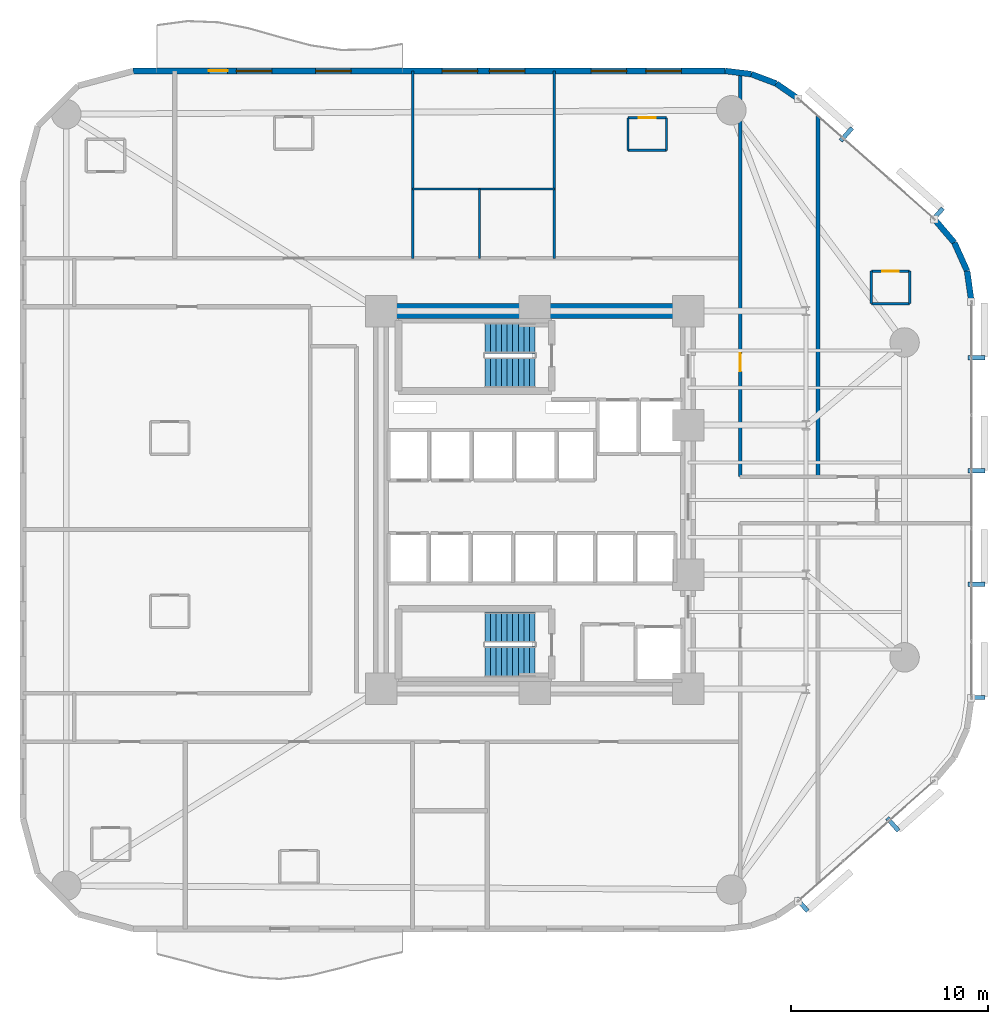
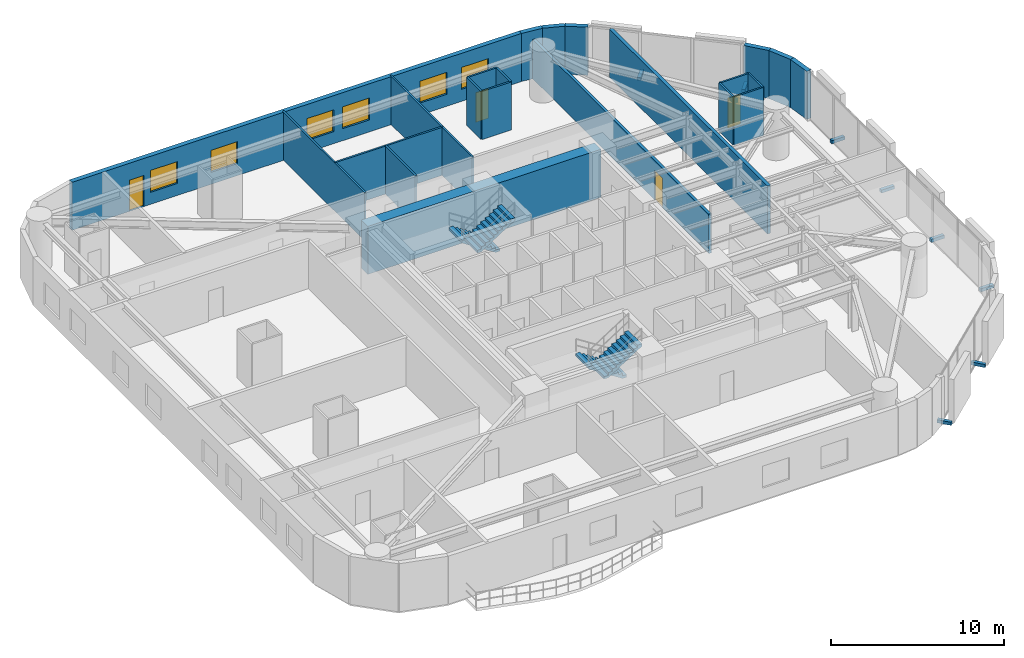
# One storey, part 13 of 16: 22 walls, 8 discrete accessories, 6 windows, 4 doors, 4 stair flights, 10 openings, 2 elements without a shape of their own.
"""IFC4 building model written with IfcOpenShell, lengths in metres."""

import ifcopenshell
import ifcopenshell.guid

model = None  # the IFC model being written
_history = None  # IfcOwnerHistory: only IFC2X3 demands one
_inside = {}  # id of a spatial element -> (the spatial element, [elements in it])
_under = {}  # id of a project, library or spatial element -> (it, [spatial elements below it])
_declared = {}  # id of a project -> (the project, [libraries it declares])
_typed = {}  # id of a type object -> (the type object, [elements of that type])
_made_of = {}  # id of a material, layer set ... -> (it, [elements and type objects made of it])


def new_model(schema):
    """Start an empty IFC model of exactly this schema.

    Asked for "IFC4X3", IfcOpenShell would pick the latest addendum, in which some entities
    have other attributes; the version numbers below select the first issue.
    IFC2X3 requires an IfcOwnerHistory on every rooted entity: one is made here for all.
    """
    global model, _history
    if schema == "IFC4X3":
        model = ifcopenshell.file(schema_version=(4, 3, 0, 0))
    else:
        model = ifcopenshell.file(schema=schema)
    _inside.clear()
    _under.clear()
    _declared.clear()
    _typed.clear()
    _made_of.clear()
    _history = None
    if model.schema == "IFC2X3":
        org = make("IfcOrganization", Name="unknown")
        user = make(
            "IfcPersonAndOrganization",
            ThePerson=make("IfcPerson", FamilyName="unknown"),
            TheOrganization=org,
        )
        app = make(
            "IfcApplication",
            ApplicationDeveloper=org,
            Version="unknown",
            ApplicationFullName="unknown",
            ApplicationIdentifier="unknown",
        )
        _history = make(
            "IfcOwnerHistory",
            OwningUser=user,
            OwningApplication=app,
            ChangeAction="ADDED",
            CreationDate=0,
        )
    return model


def make(cls, **values):
    """One entity of the class cls with the attributes given. An attribute that is None is left unset."""
    return model.create_entity(
        cls, **{name: value for name, value in values.items() if value is not None}
    )


def rooted(cls, **values):
    """An entity with a GlobalId (a new one), such as an element, a storey or a relation."""
    return make(cls, GlobalId=ifcopenshell.guid.new(), OwnerHistory=_history, **values)


def si_unit(unit_type, name, prefix=None):
    """IfcSIUnit, for example si_unit("LENGTHUNIT", "METRE", prefix="MILLI")."""
    return make("IfcSIUnit", UnitType=unit_type, Prefix=prefix, Name=name)


def assignment(units):
    """IfcUnitAssignment: the units of a project."""
    return None if units is None else make("IfcUnitAssignment", Units=units)


def point(xyz):
    """IfcCartesianPoint."""
    return None if xyz is None else make("IfcCartesianPoint", Coordinates=xyz)


def direction(xyz):
    """IfcDirection."""
    return None if xyz is None else make("IfcDirection", DirectionRatios=xyz)


def frame(location, z_axis=None, x_axis=None):
    """IfcAxis2Placement3D, a coordinate frame: its origin and axes. An axis left out is left unset."""
    return make(
        "IfcAxis2Placement3D",
        Location=point(location),
        Axis=direction(z_axis),
        RefDirection=direction(x_axis),
    )


def frame_2d(location, x_axis=None):
    """IfcAxis2Placement2D, a coordinate frame in the plane: its origin and x axis."""
    return make(
        "IfcAxis2Placement2D", Location=point(location), RefDirection=direction(x_axis)
    )


def origin():
    """The frame at (0, 0, 0) with its axes left unset."""
    return frame((0.0, 0.0, 0.0))


def origin_2d():
    """The frame at (0, 0) in the plane with its x axis left unset."""
    return frame_2d((0.0, 0.0))


def place(relative_to, where):
    """IfcLocalPlacement: puts the frame where relative to a parent placement (None: the world)."""
    return make(
        "IfcLocalPlacement", PlacementRelTo=relative_to, RelativePlacement=where
    )


def context(
    kind, dimensions, precision=None, world=None, true_north=None, identifier=None
):
    """IfcGeometricRepresentationContext, for example the 3D "Model" context."""
    return make(
        "IfcGeometricRepresentationContext",
        ContextIdentifier=identifier,
        ContextType=kind,
        CoordinateSpaceDimension=dimensions,
        Precision=precision,
        WorldCoordinateSystem=world,
        TrueNorth=true_north,
    )


def subcontext(parent, identifier, kind, view, scale=None):
    """IfcGeometricRepresentationSubContext, for example "Body" below "Model"."""
    return make(
        "IfcGeometricRepresentationSubContext",
        ContextIdentifier=identifier,
        ContextType=kind,
        ParentContext=parent,
        TargetScale=scale,
        TargetView=view,
    )


def project(units=None, contexts=None):
    """IfcProject with its units and contexts."""
    return rooted(
        "IfcProject",
        Name="project",
        RepresentationContexts=contexts,
        UnitsInContext=assignment(units),
    )


def spatial(cls, under=None, at=None, **own):
    """A site, building, storey or space (cls), placed at a placement, below another one or the project."""
    s = rooted(cls, ObjectPlacement=at, **own)
    if under is not None:
        _under.setdefault(under.id(), (under, []))[1].append(s)
    return s


def polyline(points):
    """IfcPolyline through the points."""
    return make("IfcPolyline", Points=[point(p) for p in points])


def profile(cls, at=None, kind="AREA", **sizes):
    """A parametric profile (cls). Its sizes go by their IFC names, for example OverallWidth=200.0."""
    return make(cls, ProfileType=kind, Position=at, **sizes)


def rectangle(**sizes):
    """IfcRectangleProfileDef."""
    return profile("IfcRectangleProfileDef", **sizes)


def outline(outer, holes=None, kind="AREA"):
    """IfcArbitraryClosedProfileDef: a profile drawn as a closed curve; with holes, ...WithVoids."""
    if holes is None:
        return make("IfcArbitraryClosedProfileDef", ProfileType=kind, OuterCurve=outer)
    return make(
        "IfcArbitraryProfileDefWithVoids",
        ProfileType=kind,
        OuterCurve=outer,
        InnerCurves=holes,
    )


def extrude(swept, where, along, depth):
    """IfcExtrudedAreaSolid: the profile swept, set in the frame where, extruded along a direction by depth."""
    return make(
        "IfcExtrudedAreaSolid",
        SweptArea=swept,
        Position=where,
        ExtrudedDirection=direction(along),
        Depth=depth,
    )


def shape(context_of_items, identifier, shape_type, items):
    """IfcShapeRepresentation: the items that make up one representation, for example the "Body"."""
    return make(
        "IfcShapeRepresentation",
        ContextOfItems=context_of_items,
        RepresentationIdentifier=identifier,
        RepresentationType=shape_type,
        Items=items,
    )


def material(Name=None, Category=None):
    """IfcMaterial."""
    return make("IfcMaterial", Name=Name, Category=Category)


def layer(
    of_material, thickness, ventilated=None, Name=None, Category=None, Priority=None
):
    """IfcMaterialLayer: one layer of a wall or slab, of a material (None: an air gap)."""
    return make(
        "IfcMaterialLayer",
        Material=of_material,
        LayerThickness=thickness,
        IsVentilated=ventilated,
        Name=Name,
        Category=Category,
        Priority=Priority,
    )


def layer_set(layers, Name=None):
    """IfcMaterialLayerSet."""
    return make("IfcMaterialLayerSet", MaterialLayers=layers, LayerSetName=Name)


def made_of(thing, what):
    """Note that an element or type object is made of a material, layer set ...; save() writes the relation."""
    if what is not None:
        _made_of.setdefault(what.id(), (what, []))[1].append(thing)
    return thing


def type_object(cls, material=None, **own):
    """A type object (cls), such as IfcWallType, which elements share."""
    return made_of(rooted(cls, **own), material)


def element(
    cls,
    number,
    at=None,
    inside=None,
    cuts=None,
    type_object=None,
    material=None,
    context=None,
    identifier="Body",
    shape_type=None,
    held_by="IfcProductDefinitionShape",
    body=None,
    shapes=None,
    **own,
):
    """One element of the class cls, such as IfcWall. Its Tag is "e" and its number.

    at: its placement. inside: the storey or other place that contains it. cuts: it is an
    opening in that element (IfcRelVoidsElement). A single representation is given by context,
    identifier, shape_type and body (its items); several are given by shapes. held_by: the class
    of the entity that holds the representations. save() writes the other relations.
    """
    e = rooted(cls, Tag="e%d" % number, ObjectPlacement=at, **own)
    if body is not None:
        shapes = [shape(context, identifier, shape_type, body)]
    if shapes is not None:
        e.Representation = make(held_by, Representations=shapes)
    if inside is not None:
        _inside.setdefault(inside.id(), (inside, []))[1].append(e)
    if cuts is not None:
        rooted(
            "IfcRelVoidsElement", RelatingBuildingElement=cuts, RelatedOpeningElement=e
        )
    if type_object is not None:
        _typed.setdefault(type_object.id(), (type_object, []))[1].append(e)
    return made_of(e, material)


def fill(opening, filler):
    """IfcRelFillsElement: the door or window that sits in an opening."""
    return rooted(
        "IfcRelFillsElement",
        RelatingOpeningElement=opening,
        RelatedBuildingElement=filler,
    )


def aggregate(whole, parts):
    """IfcRelAggregates: a whole, such as a stair, and the parts it consists of."""
    return rooted("IfcRelAggregates", RelatingObject=whole, RelatedObjects=parts)


def save(model, path):
    """Write the relations noted so far, then the file.

    IfcRelAggregates (storeys below a building ...), IfcRelContainedInSpatialStructure (elements
    in a storey), IfcRelDefinesByType, IfcRelAssociatesMaterial and IfcRelDeclares: one each for
    every whole, place, type object, material and project.
    """
    for whole, parts in _under.values():
        aggregate(whole, parts)
    for where, things in _inside.values():
        rooted(
            "IfcRelContainedInSpatialStructure",
            RelatedElements=things,
            RelatingStructure=where,
        )
    for kind, things in _typed.values():
        rooted("IfcRelDefinesByType", RelatedObjects=things, RelatingType=kind)
    for what, things in _made_of.values():
        rooted("IfcRelAssociatesMaterial", RelatedObjects=things, RelatingMaterial=what)
    for by, libraries in _declared.values():
        rooted("IfcRelDeclares", RelatingContext=by, RelatedDefinitions=libraries)
    model.write(path)


model = new_model("IFC4")

# Units and contexts
model_context = context("Model", 3, precision=1e-05, world=origin(), true_north=direction((0.0, 1.0)))
body_context = subcontext(model_context, "Body", "Model", "MODEL_VIEW")
ifc_project = project(units=[si_unit("LENGTHUNIT", "METRE"), si_unit("AREAUNIT", "SQUARE_METRE"), si_unit("VOLUMEUNIT", "CUBIC_METRE"), si_unit("PLANEANGLEUNIT", "RADIAN"), si_unit("MASSUNIT", "GRAM", prefix="KILO")], contexts=[model_context])

# Site, building, storey
site_placement = place(None, origin())
site = spatial("IfcSite", under=ifc_project, at=site_placement, CompositionType="ELEMENT")
building_placement = place(site_placement, origin())
building = spatial("IfcBuilding", under=site, at=building_placement, Name="An Khanh Terracotta Commons", CompositionType="ELEMENT")
storey_placement = place(building_placement, frame((0.0, 0.0, 28.800048828125)))
storey = spatial("IfcBuildingStorey", under=building, at=storey_placement, Name="L07", CompositionType="ELEMENT", Elevation=28.800048828125)

# Wall
ifc_material_1 = material(Name="Concrete C70/85", Category="concrete")
ifc_layer_1 = layer(ifc_material_1, 0.75, Name="Concrete C70/85")
ifc_layer_set_1 = layer_set([ifc_layer_1], Name="Concrete C70/85")
wall_type_1 = type_object("IfcWallType", Name="WALL-CORE-750", PredefinedType="SHEAR", material=ifc_layer_set_1)
wall_1_placement = place(storey_placement, frame((21.60009765625, 33.60009765625, 0.0), z_axis=(0.0, 0.0, 1.0), x_axis=(1.0, 0.0, 0.0)))
element("IfcWall", 1, at=wall_1_placement, inside=storey, type_object=wall_type_1, Name="L07 Core Wall CWALL-L07-N", PredefinedType="SHEAR", context=body_context, shape_type="SweptSolid", body=[
    extrude(rectangle(XDim=15.599853515625, YDim=0.75, at=frame_2d((7.7998046875, 0.0))), origin(), (0.0, 0.0, 1.0), 3.39990234375),
])

# Wall, opening, door
ifc_material_2 = material(Name="Fire-Rated Gypsum Board on Steel Stud", Category="steel")
ifc_layer_2 = layer(ifc_material_2, 0.179931640625, Name="Fire-Rated Gypsum Board on Steel Stud")
ifc_layer_set_2 = layer_set([ifc_layer_2], Name="Fire-Rated Gypsum Board on Steel Stud")
wall_type_2 = type_object("IfcWallType", Name="WALL-CORR-180", PredefinedType="PARTITIONING", material=ifc_layer_set_2)
wall_2_placement = place(storey_placement, frame((39.85009765625, 25.179931640625, 0.0), z_axis=(0.0, 0.0, 1.0), x_axis=(0.0, 1.0, 0.0)))
wall_2 = element("IfcWall", 2, at=wall_2_placement, inside=storey, type_object=wall_type_2, Name="L07 Interior Partition IW-L07-E023", PredefinedType="PARTITIONING", context=body_context, shape_type="SweptSolid", body=[
    extrude(rectangle(XDim=20.527099609375, YDim=0.179931640625, at=frame_2d((10.263671875, 0.0))), origin(), (0.0, 0.0, 1.0), 2.781982421875),
])
opening_1_placement = place(wall_2_placement, frame((5.35009765625, 0.0, 0.0)))
opening_1 = element("IfcOpeningElement", 3, at=opening_1_placement, cuts=wall_2, Name="Opening D-RM", PredefinedType="OPENING", context=body_context, shape_type="SweptSolid", body=[
    extrude(rectangle(XDim=0.919921875, YDim=2.10009765625, at=frame_2d((0.4599609375, 1.050048828125))), frame((0.0, 0.099853515625, 0.0), z_axis=(0.0, -1.0, 0.0), x_axis=(1.0, 0.0, 0.0)), (0.0, 0.0, 1.0), 0.199951171875),
])
ifc_material_3 = material(Name="Engineered Hardwood Timber Leaf", Category="wood")
door_type_1 = type_object("IfcDoorType", Name="DOOR-INT-920", OperationType="NOTDEFINED", PredefinedType="DOOR", material=ifc_material_3)
door_1_placement = place(opening_1_placement, origin())
door_1 = element("IfcDoor", 4, at=door_1_placement, inside=storey, type_object=door_type_1, Name="L07 NB1 Quiet Focus Office Door", OperationType="SINGLE_SWING_RIGHT", OverallHeight=2.10009765625, OverallWidth=0.919921875, PredefinedType="DOOR", context=body_context, shape_type="SweptSolid", body=[
    extrude(rectangle(XDim=0.919921875, YDim=2.10009765625, at=frame_2d((0.4599609375, 1.050048828125))), frame((0.0, 0.02490234375, 0.0), z_axis=(0.0, -1.0, 0.0), x_axis=(1.0, 0.0, 0.0)), (0.0, 0.0, 1.0), 0.050048828125),
])
fill(opening_1, door_1)

# Walls
ifc_material_4 = material(Name="Precast concrete C40/50", Category="concrete")
ifc_layer_3 = layer(ifc_material_4, 0.300048828125, Name="Precast concrete C40/50")
ifc_layer_set_3 = layer_set([ifc_layer_3], Name="Precast concrete C40/50")
wall_type_3 = type_object("IfcWallType", Name="WALL-EXT-300", PredefinedType="SOLIDWALL", material=ifc_layer_set_3)
wall_3_placement = place(storey_placement, frame((51.60009765625, 34.076904296875, 0.0), z_axis=(0.0, 0.0, 1.0), x_axis=(-0.140380048512, 0.990097693149, 0.0)))
element("IfcWall", 5, at=wall_3_placement, inside=storey, type_object=wall_type_3, Name="L07 Insulated Terracotta Exterior Wall 13", PredefinedType="SOLIDWALL", context=body_context, shape_type="SweptSolid", body=[
    extrude(rectangle(XDim=1.57568359375, YDim=0.300048828125, at=frame_2d((0.787841796875, 0.0))), origin(), (0.0, 0.0, 1.0), 3.39990234375),
])
wall_4_placement = place(storey_placement, frame((51.37890625, 35.636962890625, 0.0), z_axis=(0.0, 0.0, 1.0), x_axis=(-0.410996558744, 0.911636895206, 0.0)))
element("IfcWall", 6, at=wall_4_placement, inside=storey, type_object=wall_type_3, Name="L07 Insulated Terracotta Exterior Wall 14", PredefinedType="SOLIDWALL", context=body_context, shape_type="SweptSolid", body=[
    extrude(rectangle(XDim=1.57421875, YDim=0.300048828125, at=frame_2d((0.787109375, 0.0))), origin(), (0.0, 0.0, 1.0), 3.39990234375),
])
wall_5_placement = place(storey_placement, frame((50.73193359375, 37.072021484375, 0.0), z_axis=(0.0, 0.0, 1.0), x_axis=(-0.648389989909, 0.7613083613, 0.0)))
element("IfcWall", 7, at=wall_5_placement, inside=storey, type_object=wall_type_3, Name="L07 Insulated Terracotta Exterior Wall 15", PredefinedType="SOLIDWALL", context=body_context, shape_type="SweptSolid", body=[
    extrude(rectangle(XDim=1.576171875, YDim=0.300048828125, at=frame_2d((0.7880859375, 0.0))), origin(), (0.0, 0.0, 1.0), 3.39990234375),
])
wall_6_placement = place(storey_placement, frame((42.7890625, 44.39404296875, 0.0), z_axis=(0.0, 0.0, 1.0), x_axis=(-0.823116500192, 0.567872544777, 0.0)))
element("IfcWall", 8, at=wall_6_placement, inside=storey, type_object=wall_type_3, Name="L07 Insulated Terracotta Exterior Wall 17", PredefinedType="SOLIDWALL", context=body_context, shape_type="SweptSolid", body=[
    extrude(rectangle(XDim=1.3486328125, YDim=0.300048828125, at=frame_2d((0.67431640625, 0.0))), origin(), (0.0, 0.0, 1.0), 3.39990234375),
])
wall_7_placement = place(storey_placement, frame((41.678955078125, 45.159912109375, 0.0), z_axis=(0.0, 0.0, 1.0), x_axis=(-0.935156721165, 0.354234254216, 0.0)))
element("IfcWall", 9, at=wall_7_placement, inside=storey, type_object=wall_type_3, Name="L07 Insulated Terracotta Exterior Wall 18", PredefinedType="SOLIDWALL", context=body_context, shape_type="SweptSolid", body=[
    extrude(rectangle(XDim=1.349365234375, YDim=0.300048828125, at=frame_2d((0.6748046875, 0.0))), origin(), (0.0, 0.0, 1.0), 3.39990234375),
])
wall_8_placement = place(storey_placement, frame((40.4169921875, 45.637939453125, 0.0), z_axis=(0.0, 0.0, 1.0), x_axis=(-0.992739027259, 0.120288086515, 0.0)))
element("IfcWall", 10, at=wall_8_placement, inside=storey, type_object=wall_type_3, Name="L07 Insulated Terracotta Exterior Wall 19", PredefinedType="SOLIDWALL", context=body_context, shape_type="SweptSolid", body=[
    extrude(rectangle(XDim=1.34765625, YDim=0.300048828125, at=frame_2d((0.673828125, 0.0))), origin(), (0.0, 0.0, 1.0), 3.39990234375),
])

# Wall, openings, door, windows
wall_9_placement = place(storey_placement, frame((39.0791015625, 45.800048828125, 0.0), z_axis=(0.0, 0.0, 1.0), x_axis=(-1.0, 0.0, 0.0)))
wall_9 = element("IfcWall", 11, at=wall_9_placement, inside=storey, type_object=wall_type_3, Name="L07 Insulated Terracotta Exterior Wall 20", PredefinedType="SOLIDWALL", context=body_context, shape_type="SweptSolid", body=[
    extrude(rectangle(XDim=30.0791015625, YDim=0.300048828125, at=frame_2d((15.03955078125, 0.0))), origin(), (0.0, 0.0, 1.0), 3.39990234375),
])
opening_2_placement = place(wall_9_placement, frame((25.279052734375, 0.0, 0.0)))
opening_2 = element("IfcOpeningElement", 12, at=opening_2_placement, cuts=wall_9, Name="Opening D-BAL", PredefinedType="OPENING", context=body_context, shape_type="SweptSolid", body=[
    extrude(rectangle(XDim=0.949951171875, YDim=2.199951171875, at=frame_2d((0.47509765625, 1.10009765625))), frame((0.0, 0.159912109375, 0.0), z_axis=(0.0, -1.0, 0.0), x_axis=(1.0, 0.0, 0.0)), (0.0, 0.0, 1.0), 0.320068359375),
])
opening_3_placement = place(wall_9_placement, frame((2.22607421875, 0.0, 0.85009765625)))
opening_3 = element("IfcOpeningElement", 13, at=opening_3_placement, cuts=wall_9, Name="Opening W-01", PredefinedType="OPENING", context=body_context, shape_type="SweptSolid", body=[
    extrude(rectangle(XDim=1.800048828125, YDim=1.550048828125, at=frame_2d((0.89990234375, 0.77490234375))), frame((0.0, 0.159912109375, 0.0), z_axis=(0.0, -1.0, 0.0), x_axis=(1.0, 0.0, 0.0)), (0.0, 0.0, 1.0), 0.320068359375),
])
opening_4_placement = place(wall_9_placement, frame((5.0029296875, 0.0, 0.85009765625)))
opening_4 = element("IfcOpeningElement", 14, at=opening_4_placement, cuts=wall_9, Name="Opening W-01", PredefinedType="OPENING", context=body_context, shape_type="SweptSolid", body=[
    extrude(rectangle(XDim=1.800048828125, YDim=1.550048828125, at=frame_2d((0.89990234375, 0.77490234375))), frame((0.0, 0.159912109375, 0.0), z_axis=(0.0, -1.0, 0.0), x_axis=(1.0, 0.0, 0.0)), (0.0, 0.0, 1.0), 0.320068359375),
])
opening_5_placement = place(wall_9_placement, frame((10.178955078125, 0.0, 0.85009765625)))
opening_5 = element("IfcOpeningElement", 15, at=opening_5_placement, cuts=wall_9, Name="Opening W-01", PredefinedType="OPENING", context=body_context, shape_type="SweptSolid", body=[
    extrude(rectangle(XDim=1.800048828125, YDim=1.550048828125, at=frame_2d((0.89990234375, 0.77490234375))), frame((0.0, 0.159912109375, 0.0), z_axis=(0.0, -1.0, 0.0), x_axis=(1.0, 0.0, 0.0)), (0.0, 0.0, 1.0), 0.320068359375),
])
opening_6_placement = place(wall_9_placement, frame((12.5791015625, 0.0, 0.85009765625)))
opening_6 = element("IfcOpeningElement", 16, at=opening_6_placement, cuts=wall_9, Name="Opening W-01", PredefinedType="OPENING", context=body_context, shape_type="SweptSolid", body=[
    extrude(rectangle(XDim=1.800048828125, YDim=1.550048828125, at=frame_2d((0.89990234375, 0.77490234375))), frame((0.0, 0.159912109375, 0.0), z_axis=(0.0, -1.0, 0.0), x_axis=(1.0, 0.0, 0.0)), (0.0, 0.0, 1.0), 0.320068359375),
])
opening_7_placement = place(wall_9_placement, frame((19.007080078125, 0.0, 0.85009765625)))
opening_7 = element("IfcOpeningElement", 17, at=opening_7_placement, cuts=wall_9, Name="Opening W-01", PredefinedType="OPENING", context=body_context, shape_type="SweptSolid", body=[
    extrude(rectangle(XDim=1.800048828125, YDim=1.550048828125, at=frame_2d((0.89990234375, 0.77490234375))), frame((0.0, 0.159912109375, 0.0), z_axis=(0.0, -1.0, 0.0), x_axis=(1.0, 0.0, 0.0)), (0.0, 0.0, 1.0), 0.320068359375),
])
opening_8_placement = place(wall_9_placement, frame((23.033935546875, 0.0, 0.85009765625)))
opening_8 = element("IfcOpeningElement", 18, at=opening_8_placement, cuts=wall_9, Name="Opening W-01", PredefinedType="OPENING", context=body_context, shape_type="SweptSolid", body=[
    extrude(rectangle(XDim=1.800048828125, YDim=1.550048828125, at=frame_2d((0.89990234375, 0.77490234375))), frame((0.0, 0.159912109375, 0.0), z_axis=(0.0, -1.0, 0.0), x_axis=(1.0, 0.0, 0.0)), (0.0, 0.0, 1.0), 0.320068359375),
])
ifc_material_5 = material(Name="Thermally Broken Aluminium and Low-E Glass", Category="aluminium")
door_type_2 = type_object("IfcDoorType", Name="DOOR-BALC-950", OperationType="NOTDEFINED", PredefinedType="DOOR", material=ifc_material_5)
door_2_placement = place(opening_2_placement, origin())
door_2 = element("IfcDoor", 19, at=door_2_placement, inside=storey, type_object=door_type_2, Name="L07 N Wave Balcony Glazed Door", OperationType="SINGLE_SWING_RIGHT", OverallHeight=2.199951171875, OverallWidth=0.949951171875, PredefinedType="DOOR", context=body_context, shape_type="SweptSolid", body=[
    extrude(rectangle(XDim=0.949951171875, YDim=2.199951171875, at=frame_2d((0.47509765625, 1.10009765625))), frame((0.0, 0.02490234375, 0.0), z_axis=(0.0, -1.0, 0.0), x_axis=(1.0, 0.0, 0.0)), (0.0, 0.0, 1.0), 0.050048828125),
])
fill(opening_2, door_2)
window_type = type_object("IfcWindowType", Name="WIN-Z1-1800x1550", PartitioningType="DOUBLE_PANEL_VERTICAL", PredefinedType="WINDOW", material=ifc_material_5)
window_1_placement = place(opening_3_placement, origin())
window_1 = element("IfcWindow", 20, at=window_1_placement, inside=storey, type_object=window_type, Name="L07 Operable Casement Window 20.1", OverallHeight=1.550048828125, OverallWidth=1.800048828125, PartitioningType="DOUBLE_PANEL_VERTICAL", PredefinedType="WINDOW", context=body_context, shape_type="SweptSolid", body=[
    extrude(rectangle(XDim=1.800048828125, YDim=1.550048828125, at=frame_2d((0.89990234375, 0.77490234375))), frame((0.0, 0.030029296875, 0.0), z_axis=(0.0, -1.0, 0.0), x_axis=(1.0, 0.0, 0.0)), (0.0, 0.0, 1.0), 0.06005859375),
])
fill(opening_3, window_1)
window_2_placement = place(opening_4_placement, origin())
window_2 = element("IfcWindow", 21, at=window_2_placement, inside=storey, type_object=window_type, Name="L07 Operable Casement Window 20.2", OverallHeight=1.550048828125, OverallWidth=1.800048828125, PartitioningType="DOUBLE_PANEL_VERTICAL", PredefinedType="WINDOW", context=body_context, shape_type="SweptSolid", body=[
    extrude(rectangle(XDim=1.800048828125, YDim=1.550048828125, at=frame_2d((0.89990234375, 0.77490234375))), frame((0.0, 0.030029296875, 0.0), z_axis=(0.0, -1.0, 0.0), x_axis=(1.0, 0.0, 0.0)), (0.0, 0.0, 1.0), 0.06005859375),
])
fill(opening_4, window_2)
window_3_placement = place(opening_5_placement, origin())
window_3 = element("IfcWindow", 22, at=window_3_placement, inside=storey, type_object=window_type, Name="L07 Operable Casement Window 20.3", OverallHeight=1.550048828125, OverallWidth=1.800048828125, PartitioningType="DOUBLE_PANEL_VERTICAL", PredefinedType="WINDOW", context=body_context, shape_type="SweptSolid", body=[
    extrude(rectangle(XDim=1.800048828125, YDim=1.550048828125, at=frame_2d((0.89990234375, 0.77490234375))), frame((0.0, 0.030029296875, 0.0), z_axis=(0.0, -1.0, 0.0), x_axis=(1.0, 0.0, 0.0)), (0.0, 0.0, 1.0), 0.06005859375),
])
fill(opening_5, window_3)
window_4_placement = place(opening_6_placement, origin())
window_4 = element("IfcWindow", 23, at=window_4_placement, inside=storey, type_object=window_type, Name="L07 Operable Casement Window 20.4", OverallHeight=1.550048828125, OverallWidth=1.800048828125, PartitioningType="DOUBLE_PANEL_VERTICAL", PredefinedType="WINDOW", context=body_context, shape_type="SweptSolid", body=[
    extrude(rectangle(XDim=1.800048828125, YDim=1.550048828125, at=frame_2d((0.89990234375, 0.77490234375))), frame((0.0, 0.030029296875, 0.0), z_axis=(0.0, -1.0, 0.0), x_axis=(1.0, 0.0, 0.0)), (0.0, 0.0, 1.0), 0.06005859375),
])
fill(opening_6, window_4)
window_5_placement = place(opening_7_placement, origin())
window_5 = element("IfcWindow", 24, at=window_5_placement, inside=storey, type_object=window_type, Name="L07 Operable Casement Window 20.5", OverallHeight=1.550048828125, OverallWidth=1.800048828125, PartitioningType="DOUBLE_PANEL_VERTICAL", PredefinedType="WINDOW", context=body_context, shape_type="SweptSolid", body=[
    extrude(rectangle(XDim=1.800048828125, YDim=1.550048828125, at=frame_2d((0.89990234375, 0.77490234375))), frame((0.0, 0.030029296875, 0.0), z_axis=(0.0, -1.0, 0.0), x_axis=(1.0, 0.0, 0.0)), (0.0, 0.0, 1.0), 0.06005859375),
])
fill(opening_7, window_5)
window_6_placement = place(opening_8_placement, origin())
window_6 = element("IfcWindow", 25, at=window_6_placement, inside=storey, type_object=window_type, Name="L07 Operable Casement Window 20.6", OverallHeight=1.550048828125, OverallWidth=1.800048828125, PartitioningType="DOUBLE_PANEL_VERTICAL", PredefinedType="WINDOW", context=body_context, shape_type="SweptSolid", body=[
    extrude(rectangle(XDim=1.800048828125, YDim=1.550048828125, at=frame_2d((0.89990234375, 0.77490234375))), frame((0.0, 0.030029296875, 0.0), z_axis=(0.0, -1.0, 0.0), x_axis=(1.0, 0.0, 0.0)), (0.0, 0.0, 1.0), 0.06005859375),
])
fill(opening_8, window_6)

# Wall
ifc_material_6 = material(Name="Acoustic Double-Stud Gypsum and Mineral Wool")
ifc_layer_4 = layer(ifc_material_6, 0.219970703125, Name="Acoustic Double-Stud Gypsum and Mineral Wool")
ifc_layer_set_4 = layer_set([ifc_layer_4], Name="Acoustic Double-Stud Gypsum and Mineral Wool")
wall_type_4 = type_object("IfcWallType", Name="WALL-PARTY-220", PredefinedType="PARTITIONING", material=ifc_layer_set_4)
wall_10_placement = place(storey_placement, frame((43.800048828125, 25.179931640625, 0.0), z_axis=(0.0, 0.0, 1.0), x_axis=(0.0, 1.0, 0.0)))
element("IfcWall", 26, at=wall_10_placement, inside=storey, type_object=wall_type_4, Name="L07 Interior Partition IW-L07-E025", PredefinedType="PARTITIONING", context=body_context, shape_type="SweptSolid", body=[
    extrude(rectangle(XDim=18.320068359375, YDim=0.219970703125, at=frame_2d((9.16015625, 0.0))), origin(), (0.0, 0.0, 1.0), 3.39990234375),
])

# Wall, opening, door
ifc_material_7 = material(Name="Moisture-Resistant Cement Board Partition")
ifc_layer_5 = layer(ifc_material_7, 0.1201171875, Name="Moisture-Resistant Cement Board Partition")
ifc_layer_set_5 = layer_set([ifc_layer_5], Name="Moisture-Resistant Cement Board Partition")
wall_type_5 = type_object("IfcWallType", Name="WALL-WET-120", PredefinedType="PARTITIONING", material=ifc_layer_set_5)
wall_11_placement = place(storey_placement, frame((46.511962890625, 35.6259765625, 0.0), z_axis=(0.0, 0.0, 1.0), x_axis=(1.0, 0.0, 0.0)))
wall_11 = element("IfcWall", 27, at=wall_11_placement, inside=storey, type_object=wall_type_5, Name="L07 Interior Partition IW-L07-ENO1-BN", PredefinedType="PARTITIONING", context=body_context, shape_type="SweptSolid", body=[
    extrude(rectangle(XDim=1.949951171875, YDim=0.1201171875, at=frame_2d((0.97509765625, 0.0))), origin(), (0.0, 0.0, 1.0), 3.39990234375),
])
opening_9_placement = place(wall_11_placement, frame((0.544921875, 0.0, 0.0)))
opening_9 = element("IfcOpeningElement", 28, at=opening_9_placement, cuts=wall_11, Name="Opening D-ENS", PredefinedType="OPENING", context=body_context, shape_type="SweptSolid", body=[
    extrude(rectangle(XDim=0.860107421875, YDim=2.10009765625, at=frame_2d((0.43017578125, 1.050048828125))), frame((0.0, 0.070068359375, 0.0), z_axis=(0.0, -1.0, 0.0), x_axis=(1.0, 0.0, 0.0)), (0.0, 0.0, 1.0), 0.14013671875),
])
ifc_material_8 = material(Name="Moisture-Resistant Hardwood Timber Leaf", Category="wood")
door_type_3 = type_object("IfcDoorType", Name="DOOR-BATH-860", OperationType="NOTDEFINED", PredefinedType="DOOR", material=ifc_material_8)
door_3_placement = place(opening_9_placement, origin())
door_3 = element("IfcDoor", 29, at=door_3_placement, inside=storey, type_object=door_type_3, Name="L07 Studio ENO1 En-suite Door", OperationType="SINGLE_SWING_LEFT", OverallHeight=2.10009765625, OverallWidth=0.860107421875, PredefinedType="DOOR", context=body_context, shape_type="SweptSolid", body=[
    extrude(rectangle(XDim=0.860107421875, YDim=2.10009765625, at=frame_2d((0.43017578125, 1.050048828125))), frame((0.0, 0.02490234375, 0.0), z_axis=(0.0, -1.0, 0.0), x_axis=(1.0, 0.0, 0.0)), (0.0, 0.0, 1.0), 0.050048828125),
])
fill(opening_9, door_3)

# Walls
wall_12_placement = place(storey_placement, frame((48.4619140625, 33.97607421875, 0.0), z_axis=(0.0, 0.0, 1.0), x_axis=(-1.0, 0.0, 0.0)))
element("IfcWall", 30, at=wall_12_placement, inside=storey, type_object=wall_type_5, Name="L07 Interior Partition IW-L07-ENO1-BS", PredefinedType="PARTITIONING", context=body_context, shape_type="SweptSolid", body=[
    extrude(rectangle(XDim=1.949951171875, YDim=0.1201171875, at=frame_2d((0.97509765625, 0.0))), origin(), (0.0, 0.0, 1.0), 3.39990234375),
])
for number, where, z_axis, x_axis, name in (
    (31, (46.511962890625, 35.6259765625, 0.0), (0.0, 0.0, 1.0), (0.0, -1.0, 0.0), "L07 Interior Partition IW-L07-ENO1-BW"),
    (32, (48.4619140625, 33.97607421875, 0.0), (0.0, 0.0, 1.0), (0.0, 1.0, 0.0), "L07 Interior Partition IW-L07-ENO1-BE"),
):
    element("IfcWall", number, at=place(storey_placement, frame(where, z_axis=z_axis, x_axis=x_axis)), inside=storey, type_object=wall_type_5, Name=name, PredefinedType="PARTITIONING", context=body_context, shape_type="SweptSolid", body=[
        extrude(rectangle(XDim=1.64990234375, YDim=0.1201171875, at=frame_2d((0.824951171875, 0.0))), origin(), (0.0, 0.0, 1.0), 3.39990234375),
    ])

# Wall, opening, door
wall_13_placement = place(storey_placement, frame((34.14990234375, 43.4169921875, 0.0), z_axis=(0.0, 0.0, 1.0), x_axis=(1.0, 0.0, 0.0)))
wall_13 = element("IfcWall", 33, at=wall_13_placement, inside=storey, type_object=wall_type_5, Name="L07 Interior Partition IW-L07-NWE-BN", PredefinedType="PARTITIONING", context=body_context, shape_type="SweptSolid", body=[
    extrude(rectangle(XDim=1.9501953125, YDim=0.1201171875, at=frame_2d((0.97509765625, 0.0))), origin(), (0.0, 0.0, 1.0), 3.39990234375),
])
opening_10_placement = place(wall_13_placement, frame((0.544921875, 0.0, 0.0)))
opening_10 = element("IfcOpeningElement", 34, at=opening_10_placement, cuts=wall_13, Name="Opening D-ENS", PredefinedType="OPENING", context=body_context, shape_type="SweptSolid", body=[
    extrude(rectangle(XDim=0.860107421875, YDim=2.10009765625, at=frame_2d((0.43017578125, 1.050048828125))), frame((0.0, 0.070068359375, 0.0), z_axis=(0.0, -1.0, 0.0), x_axis=(1.0, 0.0, 0.0)), (0.0, 0.0, 1.0), 0.14013671875),
])
door_4_placement = place(opening_10_placement, origin())
door_4 = element("IfcDoor", 35, at=door_4_placement, inside=storey, type_object=door_type_3, Name="L07 Studio NWE En-suite Door", OperationType="SINGLE_SWING_RIGHT", OverallHeight=2.10009765625, OverallWidth=0.860107421875, PredefinedType="DOOR", context=body_context, shape_type="SweptSolid", body=[
    extrude(rectangle(XDim=0.860107421875, YDim=2.10009765625, at=frame_2d((0.43017578125, 1.050048828125))), frame((0.0, 0.02490234375, 0.0), z_axis=(0.0, -1.0, 0.0), x_axis=(1.0, 0.0, 0.0)), (0.0, 0.0, 1.0), 0.050048828125),
])
fill(opening_10, door_4)

# Walls
wall_14_placement = place(storey_placement, frame((36.10009765625, 41.76708984375, 0.0), z_axis=(0.0, 0.0, 1.0), x_axis=(-1.0, 0.0, 0.0)))
element("IfcWall", 36, at=wall_14_placement, inside=storey, type_object=wall_type_5, Name="L07 Interior Partition IW-L07-NWE-BS", PredefinedType="PARTITIONING", context=body_context, shape_type="SweptSolid", body=[
    extrude(rectangle(XDim=1.9501953125, YDim=0.1201171875, at=frame_2d((0.97509765625, 0.0))), origin(), (0.0, 0.0, 1.0), 3.39990234375),
])
for number, where, z_axis, x_axis, name in (
    (37, (34.14990234375, 43.4169921875, 0.0), (0.0, 0.0, 1.0), (0.0, -1.0, 0.0), "L07 Interior Partition IW-L07-NWE-BW"),
    (38, (36.10009765625, 41.76708984375, 0.0), (0.0, 0.0, 1.0), (0.0, 1.0, 0.0), "L07 Interior Partition IW-L07-NWE-BE"),
):
    element("IfcWall", number, at=place(storey_placement, frame(where, z_axis=z_axis, x_axis=x_axis)), inside=storey, type_object=wall_type_5, Name=name, PredefinedType="PARTITIONING", context=body_context, shape_type="SweptSolid", body=[
        extrude(rectangle(XDim=1.64990234375, YDim=0.1201171875, at=frame_2d((0.824951171875, 0.0))), origin(), (0.0, 0.0, 1.0), 3.39990234375),
    ])
wall_15_placement = place(storey_placement, frame((23.199951171875, 39.800048828125, 0.0), z_axis=(0.0, 0.0, 1.0), x_axis=(1.0, 0.0, 0.0)))
element("IfcWall", 39, at=wall_15_placement, inside=storey, type_object=wall_type_5, Name="L07 Interior Partition IW-L07-E010", PredefinedType="PARTITIONING", context=body_context, shape_type="SweptSolid", body=[
    extrude(rectangle(XDim=7.199951171875, YDim=0.1201171875, at=frame_2d((3.60009765625, 0.0))), origin(), (0.0, 0.0, 1.0), 3.39990234375),
])
wall_16_placement = place(storey_placement, frame((23.199951171875, 36.280029296875, 0.0), z_axis=(0.0, 0.0, 1.0), x_axis=(0.0, 1.0, 0.0)))
element("IfcWall", 40, at=wall_16_placement, inside=storey, type_object=wall_type_5, Name="L07 Interior Partition IW-L07-E018", PredefinedType="PARTITIONING", context=body_context, shape_type="SweptSolid", body=[
    extrude(rectangle(XDim=9.52001953125, YDim=0.1201171875, at=frame_2d((4.760009765625, 0.0))), origin(), (0.0, 0.0, 1.0), 3.39990234375),
])
wall_17_placement = place(storey_placement, frame((26.60009765625, 36.280029296875, 0.0), z_axis=(0.0, 0.0, 1.0), x_axis=(0.0, 1.0, 0.0)))
element("IfcWall", 41, at=wall_17_placement, inside=storey, type_object=wall_type_5, Name="L07 Interior Partition IW-L07-E019", PredefinedType="PARTITIONING", context=body_context, shape_type="SweptSolid", body=[
    extrude(rectangle(XDim=3.52001953125, YDim=0.1201171875, at=frame_2d((1.760009765625, 0.0))), origin(), (0.0, 0.0, 1.0), 3.39990234375),
])
wall_18_placement = place(storey_placement, frame((30.39990234375, 36.280029296875, 0.0), z_axis=(0.0, 0.0, 1.0), x_axis=(0.0, 1.0, 0.0)))
element("IfcWall", 42, at=wall_18_placement, inside=storey, type_object=wall_type_5, Name="L07 Interior Partition IW-L07-E021", PredefinedType="PARTITIONING", context=body_context, shape_type="SweptSolid", body=[
    extrude(rectangle(XDim=9.52001953125, YDim=0.1201171875, at=frame_2d((4.760009765625, 0.0))), origin(), (0.0, 0.0, 1.0), 3.39990234375),
])

# Stair, stair flights
stair_type = type_object("IfcStairType", Name="STAIR-CORE-1550", PredefinedType="HALF_TURN_STAIR", material=ifc_material_4)
stair_1_placement = place(storey_placement, origin())
stair_1 = element("IfcStair", 43, at=stair_1_placement, inside=storey, type_object=stair_type, Name="L07 Core Smokeproof Exit Stair ST-01", PredefinedType="HALF_TURN_STAIR")
stair_flight_type = type_object("IfcStairFlightType", Name="FLIGHT-CORE-1550", PredefinedType="STRAIGHT", material=ifc_material_4)
stair_flight_1_placement = place(storey_placement, frame((29.409912109375, 32.22509765625, 0.0), z_axis=(0.0, 0.0, 1.0), x_axis=(-1.0, 0.0, 0.0)))
stair_flight_1 = element("IfcStairFlight", 44, at=stair_flight_1_placement, type_object=stair_flight_type, Name="ST-01 flight 1", NumberOfRisers=10, NumberOfTreads=9, PredefinedType="STRAIGHT", RiserHeight=0.18, TreadLength=0.28, context=body_context, shape_type="SweptSolid", body=[
    extrude(outline(polyline([(0.0, 0.0), (0.0, 0.179931640625), (0.280029296875, 0.179931640625), (0.280029296875, 0.360107421875), (0.56005859375, 0.360107421875), (0.56005859375, 0.5400390625), (0.840087890625, 0.5400390625), (0.840087890625, 0.719970703125), (1.1201171875, 0.719970703125), (1.1201171875, 0.89990234375), (1.39990234375, 0.89990234375), (1.39990234375, 1.080078125), (1.679931640625, 1.080078125), (1.679931640625, 1.260009765625), (1.9599609375, 1.260009765625), (1.9599609375, 1.43994140625), (2.239990234375, 1.43994140625), (2.239990234375, 1.6201171875), (2.52001953125, 1.6201171875), (2.52001953125, 1.800048828125), (2.52001953125, 1.44189453125), (0.277099609375, 0.0), (0.0, 0.0)])), frame((0.0, 0.77490234375, 0.0), z_axis=(0.0, -1.0, 0.0), x_axis=(1.0, 0.0, 0.0)), (0.0, 0.0, 1.0), 1.550048828125),
])
stair_flight_2_placement = place(storey_placement, frame((26.889892578125, 30.47509765625, 1.800048828125), z_axis=(0.0, 0.0, 1.0), x_axis=(1.0, 0.0, 0.0)))
stair_flight_2 = element("IfcStairFlight", 45, at=stair_flight_2_placement, type_object=stair_flight_type, Name="ST-01 flight 2", NumberOfRisers=10, NumberOfTreads=9, PredefinedType="STRAIGHT", RiserHeight=0.18, TreadLength=0.28, context=body_context, shape_type="SweptSolid", body=[
    extrude(outline(polyline([(0.0, 0.0), (0.0, 0.179931640625), (0.280029296875, 0.179931640625), (0.280029296875, 0.360107421875), (0.56005859375, 0.360107421875), (0.56005859375, 0.5400390625), (0.840087890625, 0.5400390625), (0.840087890625, 0.719970703125), (1.1201171875, 0.719970703125), (1.1201171875, 0.89990234375), (1.39990234375, 0.89990234375), (1.39990234375, 1.080078125), (1.679931640625, 1.080078125), (1.679931640625, 1.260009765625), (1.9599609375, 1.260009765625), (1.9599609375, 1.43994140625), (2.239990234375, 1.43994140625), (2.239990234375, 1.6201171875), (2.52001953125, 1.6201171875), (2.52001953125, 1.800048828125), (2.52001953125, 1.44189453125), (0.277099609375, 0.0), (0.0, 0.0)])), frame((0.0, 0.77490234375, 0.0), z_axis=(0.0, -1.0, 0.0), x_axis=(1.0, 0.0, 0.0)), (0.0, 0.0, 1.0), 1.550048828125),
])
aggregate(stair_1, [stair_flight_1, stair_flight_2])

stair_2_placement = place(storey_placement, origin())
stair_2 = element("IfcStair", 46, at=stair_2_placement, inside=storey, type_object=stair_type, Name="L07 Core Smokeproof Exit Stair ST-02", PredefinedType="HALF_TURN_STAIR")
stair_flight_3_placement = place(storey_placement, frame((29.409912109375, 17.52490234375, 0.0), z_axis=(0.0, 0.0, 1.0), x_axis=(-1.0, 0.0, 0.0)))
stair_flight_3 = element("IfcStairFlight", 47, at=stair_flight_3_placement, type_object=stair_flight_type, Name="ST-02 flight 1", NumberOfRisers=10, NumberOfTreads=9, PredefinedType="STRAIGHT", RiserHeight=0.18, TreadLength=0.28, context=body_context, shape_type="SweptSolid", body=[
    extrude(outline(polyline([(0.0, 0.0), (0.0, 0.179931640625), (0.280029296875, 0.179931640625), (0.280029296875, 0.360107421875), (0.56005859375, 0.360107421875), (0.56005859375, 0.5400390625), (0.840087890625, 0.5400390625), (0.840087890625, 0.719970703125), (1.1201171875, 0.719970703125), (1.1201171875, 0.89990234375), (1.39990234375, 0.89990234375), (1.39990234375, 1.080078125), (1.679931640625, 1.080078125), (1.679931640625, 1.260009765625), (1.9599609375, 1.260009765625), (1.9599609375, 1.43994140625), (2.239990234375, 1.43994140625), (2.239990234375, 1.6201171875), (2.52001953125, 1.6201171875), (2.52001953125, 1.800048828125), (2.52001953125, 1.44189453125), (0.277099609375, 0.0), (0.0, 0.0)])), frame((0.0, 0.77490234375, 0.0), z_axis=(0.0, -1.0, 0.0), x_axis=(1.0, 0.0, 0.0)), (0.0, 0.0, 1.0), 1.550048828125),
])
stair_flight_4_placement = place(storey_placement, frame((26.889892578125, 15.77490234375, 1.800048828125), z_axis=(0.0, 0.0, 1.0), x_axis=(1.0, 0.0, 0.0)))
stair_flight_4 = element("IfcStairFlight", 48, at=stair_flight_4_placement, type_object=stair_flight_type, Name="ST-02 flight 2", NumberOfRisers=10, NumberOfTreads=9, PredefinedType="STRAIGHT", RiserHeight=0.18, TreadLength=0.28, context=body_context, shape_type="SweptSolid", body=[
    extrude(outline(polyline([(0.0, 0.0), (0.0, 0.179931640625), (0.280029296875, 0.179931640625), (0.280029296875, 0.360107421875), (0.56005859375, 0.360107421875), (0.56005859375, 0.5400390625), (0.840087890625, 0.5400390625), (0.840087890625, 0.719970703125), (1.1201171875, 0.719970703125), (1.1201171875, 0.89990234375), (1.39990234375, 0.89990234375), (1.39990234375, 1.080078125), (1.679931640625, 1.080078125), (1.679931640625, 1.260009765625), (1.9599609375, 1.260009765625), (1.9599609375, 1.43994140625), (2.239990234375, 1.43994140625), (2.239990234375, 1.6201171875), (2.52001953125, 1.6201171875), (2.52001953125, 1.800048828125), (2.52001953125, 1.44189453125), (0.277099609375, 0.0), (0.0, 0.0)])), frame((0.0, 0.77490234375, 0.0), z_axis=(0.0, -1.0, 0.0), x_axis=(1.0, 0.0, 0.0)), (0.0, 0.0, 1.0), 1.550048828125),
])
aggregate(stair_2, [stair_flight_3, stair_flight_4])

# Discrete accessories
ifc_material_9 = material(Name="Stainless Steel Grade 316L", Category="steel")
discrete_accessory_type = type_object("IfcDiscreteAccessoryType", Name="Stainless Outrigger Facade Bracket", PredefinedType="BRACKET", material=ifc_material_9)
for number, where, z_axis, x_axis, name in (
    (49, (42.990966796875, 3.430908203125, 0.06982421875), (0.0, 0.0, 1.0), (0.749019284633, 0.662548195415, 0.0), "L07 Terracotta Screen Outrigger Bracket 1"),
    (50, (47.60498046875, 7.511962890625, 0.06982421875), (0.0, 0.0, 1.0), (0.749019284633, 0.662548195415, 0.0), "L07 Terracotta Screen Outrigger Bracket 3"),
    (51, (51.864990234375, 13.9580078125, 0.06982421875), (0.0, 0.0, 1.0), (0.0, 1.0, 0.0), "L07 Terracotta Screen Outrigger Bracket 1"),
    (52, (51.864990234375, 19.716064453125, 0.06982421875), (0.0, 0.0, 1.0), (0.0, 1.0, 0.0), "L07 Terracotta Screen Outrigger Bracket 3"),
    (53, (51.864990234375, 25.47509765625, 0.06982421875), (0.0, 0.0, 1.0), (0.0, 1.0, 0.0), "L07 Terracotta Screen Outrigger Bracket 5"),
    (54, (51.864990234375, 31.23291015625, 0.06982421875), (0.0, 0.0, 1.0), (0.0, 1.0, 0.0), "L07 Terracotta Screen Outrigger Bracket 7"),
    (55, (49.85888671875, 38.493896484375, 0.06982421875), (0.0, 0.0, 1.0), (-0.749019284633, 0.662548195415, 0.0), "L07 Terracotta Screen Outrigger Bracket 1"),
    (56, (45.2451171875, 42.574951171875, 0.06982421875), (0.0, 0.0, 1.0), (-0.749019284633, 0.662548195415, 0.0), "L07 Terracotta Screen Outrigger Bracket 3"),
):
    element("IfcDiscreteAccessory", number, at=place(storey_placement, frame(where, z_axis=z_axis, x_axis=x_axis)), inside=storey, type_object=discrete_accessory_type, Name=name, PredefinedType="BRACKET", context=body_context, shape_type="SweptSolid", body=[
        extrude(rectangle(XDim=0.219970703125, YDim=0.8701171875, at=origin_2d()), origin(), (0.0, 0.0, 1.0), 0.219970703125),
    ])

save(model, "model.ifc")
